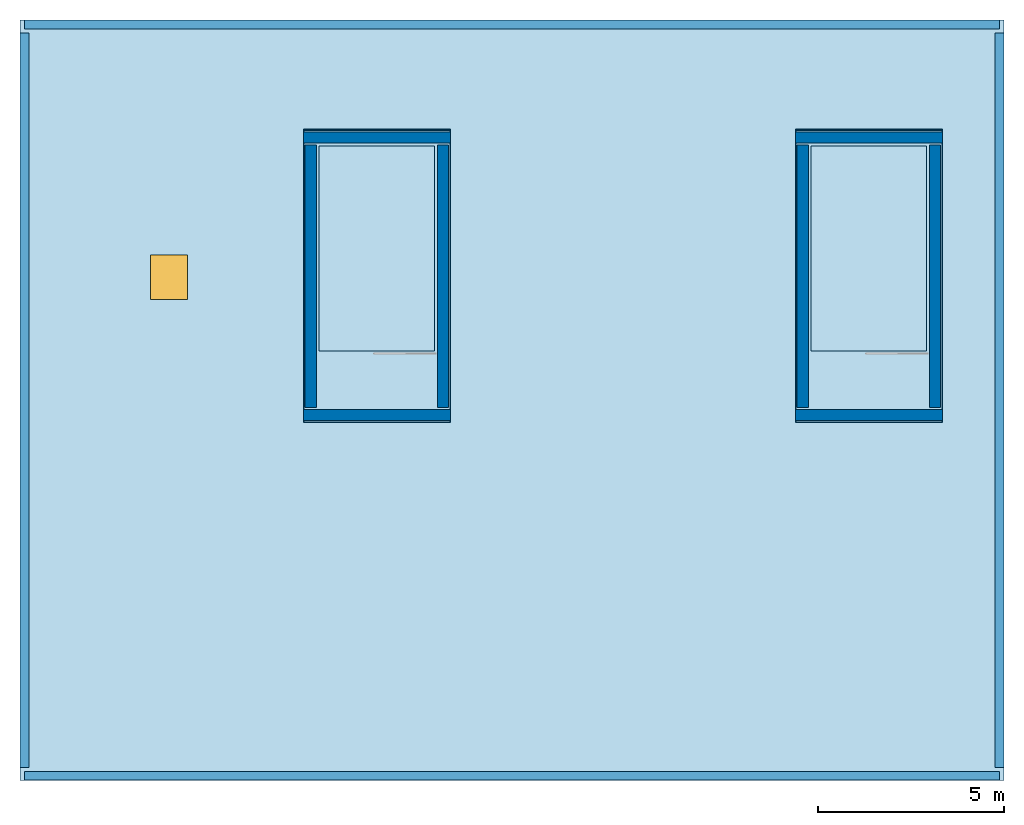
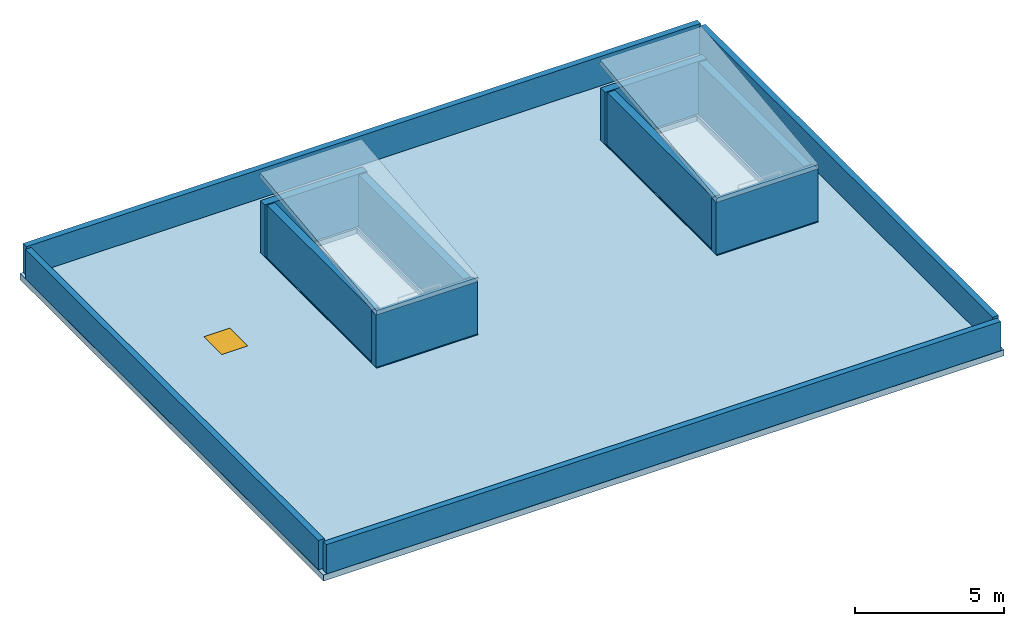
# One storey, part 1 of 2: 12 walls, 5 slabs, 1 door, 1 opening.
"""IFC4 building model written with IfcOpenShell, lengths in metres."""

from ifc_helpers import new_model, si_unit, direction, frame, frame_2d, origin, origin_2d, place, context, subcontext, project, spatial, polyline, rectangle, outline, extrude, material, layer, layer_set, type_object, element, fill, save


model = new_model("IFC4")

# Units and contexts
model_context = context("Model", 3, precision=1e-05, world=origin(), true_north=direction((0.0, 1.0)))
body_context = subcontext(model_context, "Body", "Model", "MODEL_VIEW")
ifc_project = project(units=[si_unit("LENGTHUNIT", "METRE"), si_unit("AREAUNIT", "SQUARE_METRE"), si_unit("VOLUMEUNIT", "CUBIC_METRE"), si_unit("PLANEANGLEUNIT", "RADIAN"), si_unit("MASSUNIT", "GRAM", prefix="KILO")], contexts=[model_context])

# Site, building, storey
site_placement = place(None, origin())
site = spatial("IfcSite", under=ifc_project, at=site_placement, CompositionType="ELEMENT")
building_placement = place(site_placement, origin())
building = spatial("IfcBuilding", under=site, at=building_placement, Name="Miralva Faculty of Natural Sciences", CompositionType="ELEMENT")
storey_placement = place(building_placement, frame((0.0, 0.0, 44.60009765625)))
storey = spatial("IfcBuildingStorey", under=building, at=storey_placement, Name="Roof", CompositionType="ELEMENT", Elevation=44.60009765625)

# Slabs
ifc_material_1 = material(Name="Concrete C40/50", Category="concrete")
ifc_layer_1 = layer(ifc_material_1, 0.18994140625, Name="SL-LD01")
ifc_layer_set_1 = layer_set([ifc_layer_1], Name="Concrete C40/50")
slab_type_1 = type_object("IfcSlabType", Name="SL-LD01", PredefinedType="LANDING", material=ifc_layer_set_1)
slab_1_placement = place(storey_placement, frame((0.0, 0.0, -0.22021484375)))
element("IfcSlab", 1, at=slab_1_placement, inside=storey, type_object=slab_type_1, Name="Stair ST-01 Roof Headhouse Landing", PredefinedType="LANDING", context=body_context, shape_type="SweptSolid", body=[
    extrude(outline(polyline([(14.530029296875, 12.6201171875), (10.6201171875, 12.6201171875), (10.6201171875, 20.429931640625), (14.530029296875, 20.429931640625), (14.530029296875, 12.6201171875)]), holes=[polyline([(14.125, 14.52490234375), (11.02490234375, 14.52490234375), (11.02490234375, 20.02490234375), (14.125, 20.02490234375), (14.125, 14.52490234375)])]), origin(), (0.0, 0.0, 1.0), 0.22021484375),
])
slab_2_placement = place(storey_placement, frame((0.0, 0.0, -0.22021484375)))
element("IfcSlab", 2, at=slab_2_placement, inside=storey, type_object=slab_type_1, Name="Stair ST-02 Roof Headhouse Landing", PredefinedType="LANDING", context=body_context, shape_type="SweptSolid", body=[
    extrude(outline(polyline([(27.72998046875, 12.6201171875), (23.820068359375, 12.6201171875), (23.820068359375, 20.429931640625), (27.72998046875, 20.429931640625), (27.72998046875, 12.6201171875)]), holes=[polyline([(27.324951171875, 14.52490234375), (24.22509765625, 14.52490234375), (24.22509765625, 20.02490234375), (27.324951171875, 20.02490234375), (27.324951171875, 14.52490234375)])]), origin(), (0.0, 0.0, 1.0), 0.22021484375),
])

# Slab, opening, door
ifc_layer_2 = layer(ifc_material_1, 0.25, Name="SL-RF01")
ifc_layer_set_2 = layer_set([ifc_layer_2], Name="Concrete C40/50")
slab_type_2 = type_object("IfcSlabType", Name="SL-RF01", PredefinedType="ROOF", material=ifc_layer_set_2)
slab_3_placement = place(storey_placement, frame((0.0, 0.0, -0.25)))
slab_3 = element("IfcSlab", 3, at=slab_3_placement, inside=storey, type_object=slab_type_2, Name="Research Tower Main Maintenance Roof", PredefinedType="ROOF", context=body_context, shape_type="SweptSolid", body=[
    extrude(outline(polyline([(3.0, 23.39990234375), (29.39990234375, 23.39990234375), (29.39990234375, 3.0), (3.0, 3.0), (3.0, 23.39990234375)]), holes=[polyline([(27.75, 20.449951171875), (23.800048828125, 20.449951171875), (23.800048828125, 12.60009765625), (27.75, 12.60009765625), (27.75, 20.449951171875)]), polyline([(10.60009765625, 20.449951171875), (10.60009765625, 12.60009765625), (14.550048828125, 12.60009765625), (14.550048828125, 20.449951171875), (10.60009765625, 20.449951171875)])]), origin(), (0.0, 0.0, 1.0), 0.25),
])
opening_placement = place(slab_3_placement, frame((7.0, 16.5, 0.0)))
opening = element("IfcOpeningElement", 4, at=opening_placement, cuts=slab_3, Name="Opening D-08", PredefinedType="OPENING", context=body_context, shape_type="SweptSolid", body=[
    extrude(rectangle(XDim=1.0, YDim=1.199951171875, at=origin_2d()), frame((0.0, 0.0, -0.010009765625)), (0.0, 0.0, 1.0), 0.27001953125),
])
ifc_material_2 = material(Name="Galvanised steel", Category="steel")
door_type = type_object("IfcDoorType", Name="DR-HT01", OperationType="SINGLE_SWING_LEFT", PredefinedType="TRAPDOOR", material=ifc_material_2)
door_placement = place(opening_placement, frame((0.0, 0.0, 0.199951171875)))
door = element("IfcDoor", 5, at=door_placement, inside=storey, type_object=door_type, Name="Roof opening D-08 Roof-17", OperationType="SINGLE_SWING_LEFT", OverallHeight=1.199951171875, OverallWidth=1.0, PredefinedType="TRAPDOOR", context=body_context, shape_type="SweptSolid", body=[
    extrude(rectangle(XDim=1.0, YDim=1.199951171875, at=origin_2d()), origin(), (0.0, 0.0, 1.0), 0.050048828125),
])
fill(opening, door)

# Slabs
ifc_layer_3 = layer(ifc_material_1, 0.2099609375, Name="SL-RF02")
ifc_layer_set_3 = layer_set([ifc_layer_3], Name="Concrete C40/50")
slab_type_3 = type_object("IfcSlabType", Name="SL-RF02", PredefinedType="ROOF", material=ifc_layer_set_3)
for number, where, z_axis, x_axis, name in (
    (6, (10.60009765625, 12.60009765625, 2.358154296875), (0.0, -0.115143569883, 0.993348860328), (1.0, 0.0, 0.0), "Core C1 stair headhouse pitched roof slab"),
    (7, (23.800048828125, 12.60009765625, 2.358154296875), (0.0, -0.115143569883, 0.993348860328), (1.0, 0.0, 0.0), "Core C1B stair headhouse pitched roof slab"),
):
    element("IfcSlab", number, at=place(storey_placement, frame(where, z_axis=z_axis, x_axis=x_axis)), inside=storey, type_object=slab_type_3, Name=name, PredefinedType="ROOF", context=body_context, shape_type="SweptSolid", body=[
        extrude(outline(polyline([(0.0, 0.0), (3.949951171875, 0.0), (3.949951171875, 7.902413572039711), (0.0, 7.902413572039711), (0.0, 0.0)])), origin(), (0.0, 0.0, -1.0), 0.2099609375),
    ])

# Walls
ifc_layer_4 = layer(ifc_material_1, 0.300048828125, Name="WL-CW05")
ifc_layer_set_4 = layer_set([ifc_layer_4], Name="Concrete C40/50")
wall_type_1 = type_object("IfcWallType", Name="WL-CW05", PredefinedType="SHEAR", material=ifc_layer_set_4)
for number, where, z_axis, x_axis, name in (
    (8, (10.60009765625, 12.800048828125, 0.0), (0.0, 0.0, 1.0), (1.0, 0.0, 0.0), "Core C1 shear wall south Roof"),
    (9, (10.60009765625, 20.25, 0.0), (0.0, 0.0, 1.0), (1.0, 0.0, 0.0), "Core C1 shear wall north Roof"),
):
    element("IfcWall", number, at=place(storey_placement, frame(where, z_axis=z_axis, x_axis=x_axis)), inside=storey, type_object=wall_type_1, Name=name, PredefinedType="SHEAR", context=body_context, shape_type="SweptSolid", body=[
        extrude(rectangle(XDim=3.949951171875, YDim=0.300048828125, at=frame_2d((1.97509765625, 0.0))), origin(), (0.0, 0.0, 1.0), 2.14990234375),
    ])
for number, where, z_axis, x_axis, name in (
    (10, (10.800048828125, 13.0, 0.0), (0.0, 0.0, 1.0), (0.0, 1.0, 0.0), "Core C1 shear wall west Roof"),
    (11, (14.35009765625, 13.0, 0.0), (0.0, 0.0, 1.0), (0.0, 1.0, 0.0), "Core C1 shear wall east Roof"),
):
    element("IfcWall", number, at=place(storey_placement, frame(where, z_axis=z_axis, x_axis=x_axis)), inside=storey, type_object=wall_type_1, Name=name, PredefinedType="SHEAR", context=body_context, shape_type="SweptSolid", body=[
        extrude(rectangle(XDim=7.050048828125, YDim=0.300048828125, at=frame_2d((3.52490234375, 0.0))), origin(), (0.0, 0.0, 1.0), 2.14990234375),
    ])
for number, where, z_axis, x_axis, name in (
    (12, (23.800048828125, 12.800048828125, 0.0), (0.0, 0.0, 1.0), (1.0, 0.0, 0.0), "Core C1B shear wall south Roof"),
    (13, (23.800048828125, 20.25, 0.0), (0.0, 0.0, 1.0), (1.0, 0.0, 0.0), "Core C1B shear wall north Roof"),
):
    element("IfcWall", number, at=place(storey_placement, frame(where, z_axis=z_axis, x_axis=x_axis)), inside=storey, type_object=wall_type_1, Name=name, PredefinedType="SHEAR", context=body_context, shape_type="SweptSolid", body=[
        extrude(rectangle(XDim=3.949951171875, YDim=0.300048828125, at=frame_2d((1.97509765625, 0.0))), origin(), (0.0, 0.0, 1.0), 2.14990234375),
    ])
for number, where, z_axis, x_axis, name in (
    (14, (24.0, 13.0, 0.0), (0.0, 0.0, 1.0), (0.0, 1.0, 0.0), "Core C1B shear wall west Roof"),
    (15, (27.550048828125, 13.0, 0.0), (0.0, 0.0, 1.0), (0.0, 1.0, 0.0), "Core C1B shear wall east Roof"),
):
    element("IfcWall", number, at=place(storey_placement, frame(where, z_axis=z_axis, x_axis=x_axis)), inside=storey, type_object=wall_type_1, Name=name, PredefinedType="SHEAR", context=body_context, shape_type="SweptSolid", body=[
        extrude(rectangle(XDim=7.050048828125, YDim=0.300048828125, at=frame_2d((3.52490234375, 0.0))), origin(), (0.0, 0.0, 1.0), 2.14990234375),
    ])
ifc_material_3 = material(Name="Precast concrete C40/50", Category="concrete")
ifc_layer_5 = layer(ifc_material_3, 0.22998046875, Name="WL-PA01")
ifc_layer_set_5 = layer_set([ifc_layer_5], Name="Precast concrete C40/50")
wall_type_2 = type_object("IfcWallType", Name="WL-PA01", PredefinedType="PARAPET", material=ifc_layer_set_5)
wall_1_placement = place(storey_placement, frame((3.1201171875, 3.35009765625, 0.0), z_axis=(0.0, 0.0, 1.0), x_axis=(0.0, 1.0, 0.0)))
element("IfcWall", 16, at=wall_1_placement, inside=storey, type_object=wall_type_2, Name="Roof parapet Roof-19", PredefinedType="PARAPET", context=body_context, shape_type="SweptSolid", body=[
    extrude(rectangle(XDim=19.699951171875, YDim=0.22998046875, at=frame_2d((9.85009765625, 0.0))), origin(), (0.0, 0.0, 1.0), 1.199951171875),
])
wall_2_placement = place(storey_placement, frame((3.1201171875, 3.1201171875, 0.0), z_axis=(0.0, 0.0, 1.0), x_axis=(1.0, 0.0, 0.0)))
element("IfcWall", 17, at=wall_2_placement, inside=storey, type_object=wall_type_2, Name="Roof parapet Roof-20", PredefinedType="PARAPET", context=body_context, shape_type="SweptSolid", body=[
    extrude(rectangle(XDim=26.159912109375, YDim=0.22998046875, at=frame_2d((13.080078125, 0.0))), origin(), (0.0, 0.0, 1.0), 1.199951171875),
])
wall_3_placement = place(storey_placement, frame((29.280029296875, 3.35009765625, 0.0), z_axis=(0.0, 0.0, 1.0), x_axis=(0.0, 1.0, 0.0)))
element("IfcWall", 18, at=wall_3_placement, inside=storey, type_object=wall_type_2, Name="Roof parapet Roof-21", PredefinedType="PARAPET", context=body_context, shape_type="SweptSolid", body=[
    extrude(rectangle(XDim=19.699951171875, YDim=0.22998046875, at=frame_2d((9.85009765625, 0.0))), origin(), (0.0, 0.0, 1.0), 1.199951171875),
])
wall_4_placement = place(storey_placement, frame((3.1201171875, 23.280029296875, 0.0), z_axis=(0.0, 0.0, 1.0), x_axis=(1.0, 0.0, 0.0)))
element("IfcWall", 19, at=wall_4_placement, inside=storey, type_object=wall_type_2, Name="Roof parapet Roof-22", PredefinedType="PARAPET", context=body_context, shape_type="SweptSolid", body=[
    extrude(rectangle(XDim=26.159912109375, YDim=0.22998046875, at=frame_2d((13.080078125, 0.0))), origin(), (0.0, 0.0, 1.0), 1.199951171875),
])

save(model, "model.ifc")
